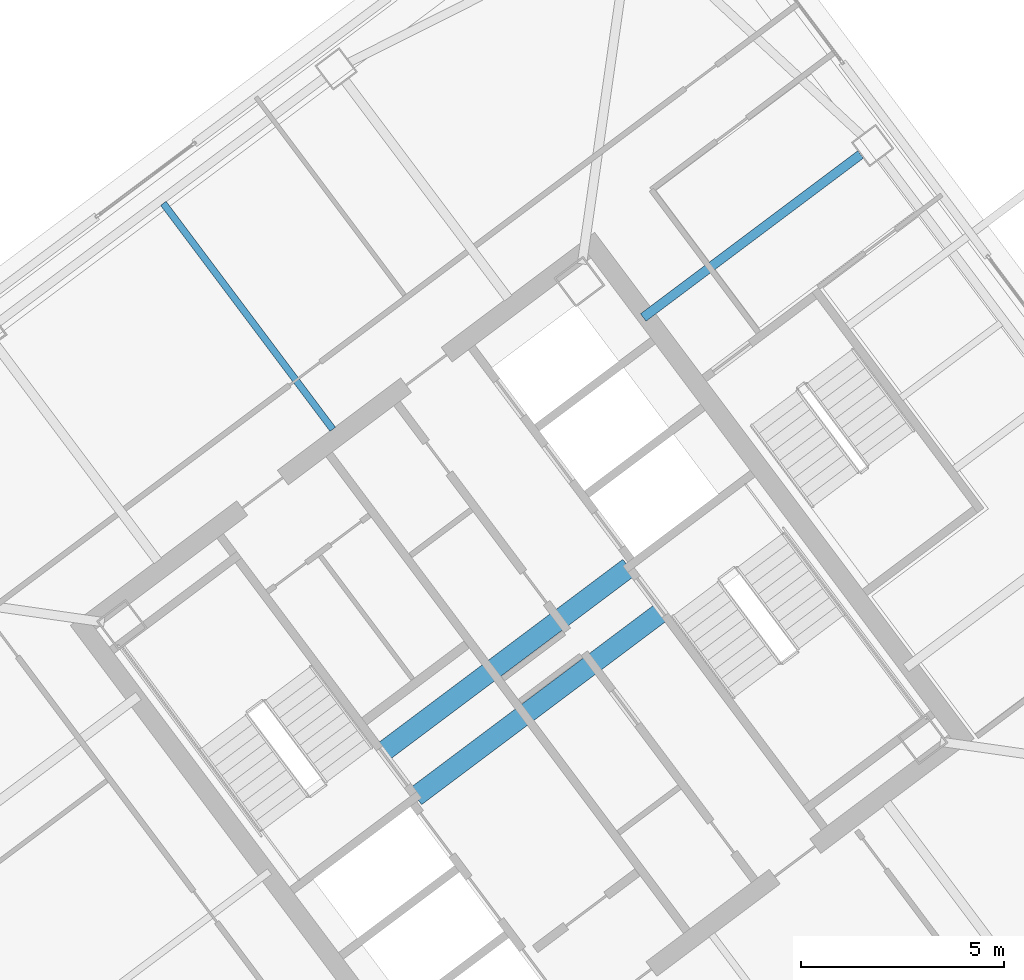
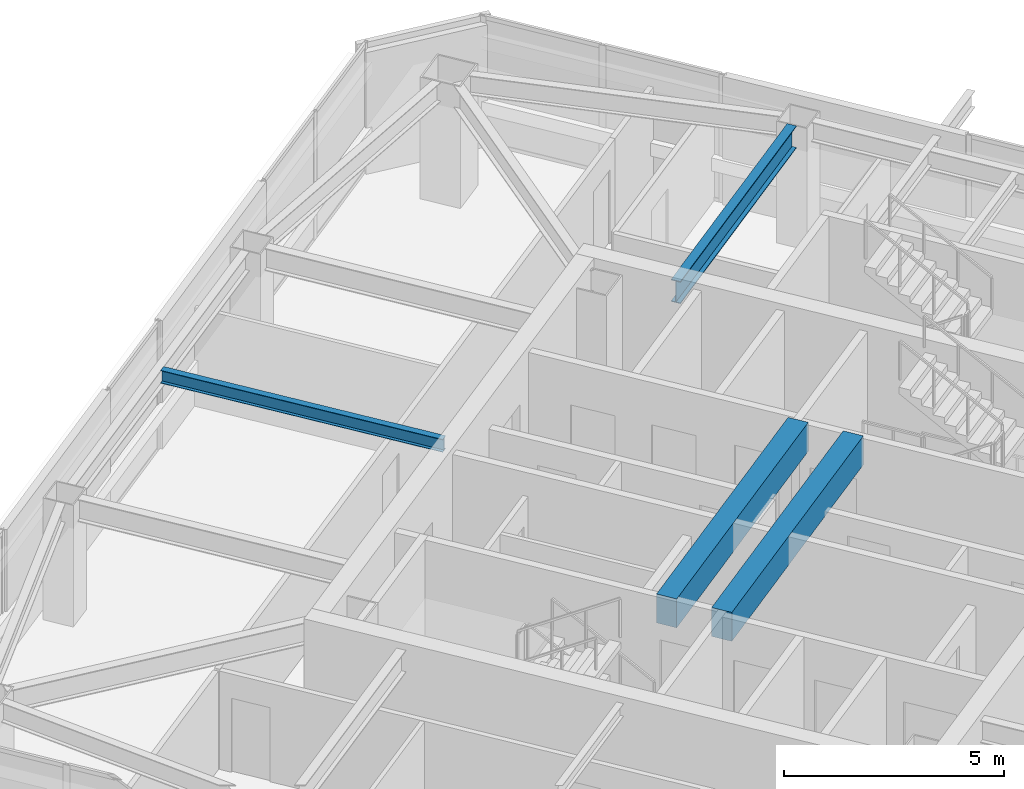
# One storey, part 24 of 44: 4 beams.
"""IFC4 building model written with IfcOpenShell, lengths in metres."""

from ifc_helpers import new_model, si_unit, direction, frame, origin, origin_2d, place, context, subcontext, project, spatial, rectangle, i_section, extrude, material, material_profile, profile_set, type_object, element, save


model = new_model("IFC4")

# Units and contexts
model_context = context("Model", 3, precision=1e-05, world=origin(), true_north=direction((0.0, 1.0)))
body_context = subcontext(model_context, "Body", "Model", "MODEL_VIEW")
ifc_project = project(units=[si_unit("LENGTHUNIT", "METRE"), si_unit("AREAUNIT", "SQUARE_METRE"), si_unit("VOLUMEUNIT", "CUBIC_METRE"), si_unit("PLANEANGLEUNIT", "RADIAN"), si_unit("MASSUNIT", "GRAM", prefix="KILO")], contexts=[model_context])

# Site, building, storey
site_placement = place(None, origin())
site = spatial("IfcSite", under=ifc_project, at=site_placement, CompositionType="ELEMENT")
building_placement = place(site_placement, origin())
building = spatial("IfcBuilding", under=site, at=building_placement, Name="Tashvorn Skyway Center", CompositionType="ELEMENT")
storey_placement = place(building_placement, frame((0.0, 0.0, 211.300048828125)))
storey = spatial("IfcBuildingStorey", under=building, at=storey_placement, Name="L57", CompositionType="ELEMENT", Elevation=211.300048828125)

# Beams
ifc_material_1 = material(Name="Steel ASTM A992 Grade 50", Category="steel")
ifc_material_profile_1 = material_profile(ifc_material_1, i_section(OverallWidth=0.22998046875, OverallDepth=0.616943359375, WebThickness=0.01318359375, FlangeThickness=0.022216796875, at=origin_2d()), Name="W24X94")
ifc_profile_set_1 = profile_set([ifc_material_profile_1], Name="Steel ASTM A992 Grade 50")
beam_type_1 = type_object("IfcBeamType", Name="BM-BEAM-W24X94", PredefinedType="BEAM", material=ifc_profile_set_1)
beam_1_placement = place(storey_placement, frame((122.343994140625, 45.008056640625, 3.0615234375), z_axis=(-0.800004372583, -0.599994169845, 0.0), x_axis=(0.599994169845, -0.800004372583, 0.0)))
element("IfcBeam", 1, at=beam_1_placement, inside=storey, type_object=beam_type_1, Name="Tower 2 L57 Primary Floor Girder FC-E2", PredefinedType="BEAM", context=body_context, shape_type="SweptSolid", body=[
    extrude(i_section(OverallWidth=0.22998046875, OverallDepth=0.616943359375, WebThickness=0.01318359375, FlangeThickness=0.022216796875, at=origin_2d()), origin(), (0.0, 0.0, 1.0), 6.7001953125),
])
ifc_material_profile_2 = material_profile(ifc_material_1, i_section(OverallWidth=0.1708984375, OverallDepth=0.35498046875, WebThickness=0.007080078125, FlangeThickness=0.01171875, at=origin_2d()), Name="W14X34")
ifc_profile_set_2 = profile_set([ifc_material_profile_2], Name="Steel ASTM A992 Grade 50")
beam_type_2 = type_object("IfcBeamType", Name="BM-JOIST-W14X34", PredefinedType="JOIST", material=ifc_profile_set_2)
beam_2_placement = place(storey_placement, frame((109.325927734375, 38.23193359375, 3.1923828125), z_axis=(-0.599994389612, 0.800004207761, 0.0), x_axis=(-0.800004207761, -0.599994389612, 0.0)))
element("IfcBeam", 2, at=beam_2_placement, inside=storey, type_object=beam_type_2, Name="Tower 2 L57 Secondary Composite Joist JN", PredefinedType="JOIST", context=body_context, shape_type="SweptSolid", body=[
    extrude(i_section(OverallWidth=0.1708984375, OverallDepth=0.35498046875, WebThickness=0.007080078125, FlangeThickness=0.01171875, at=origin_2d()), origin(), (0.0, 0.0, 1.0), 6.962646484375),
])
ifc_material_2 = material(Name="Concrete C50/60", Category="concrete")
ifc_material_profile_3 = material_profile(ifc_material_2, rectangle(XDim=0.5, YDim=0.800048828125, at=origin_2d()), Name="RCB500x800")
ifc_profile_set_3 = profile_set([ifc_material_profile_3], Name="Concrete C50/60")
beam_type_3 = type_object("IfcBeamType", Name="BM-LINTEL-RCB500x800", PredefinedType="LINTEL", material=ifc_profile_set_3)
for number, where, z_axis, x_axis, name in (
    (3, (110.552001953125, 30.263916015625, 2.969970703125), (0.8, 0.6, 0.0), (-0.6, 0.8, 0.0), "Tower 2 L57 Core Coupling Beam CN"),
    (4, (111.367919921875, 29.176025390625, 2.969970703125), (0.8, 0.6, 0.0), (-0.6, 0.8, 0.0), "Tower 2 L57 Core Coupling Beam CS"),
):
    element("IfcBeam", number, at=place(storey_placement, frame(where, z_axis=z_axis, x_axis=x_axis)), inside=storey, type_object=beam_type_3, Name=name, PredefinedType="LINTEL", context=body_context, shape_type="SweptSolid", body=[
        extrude(rectangle(XDim=0.5, YDim=0.800048828125, at=origin_2d()), origin(), (0.0, 0.0, 1.0), 7.60009765625),
    ])

save(model, "model.ifc")
